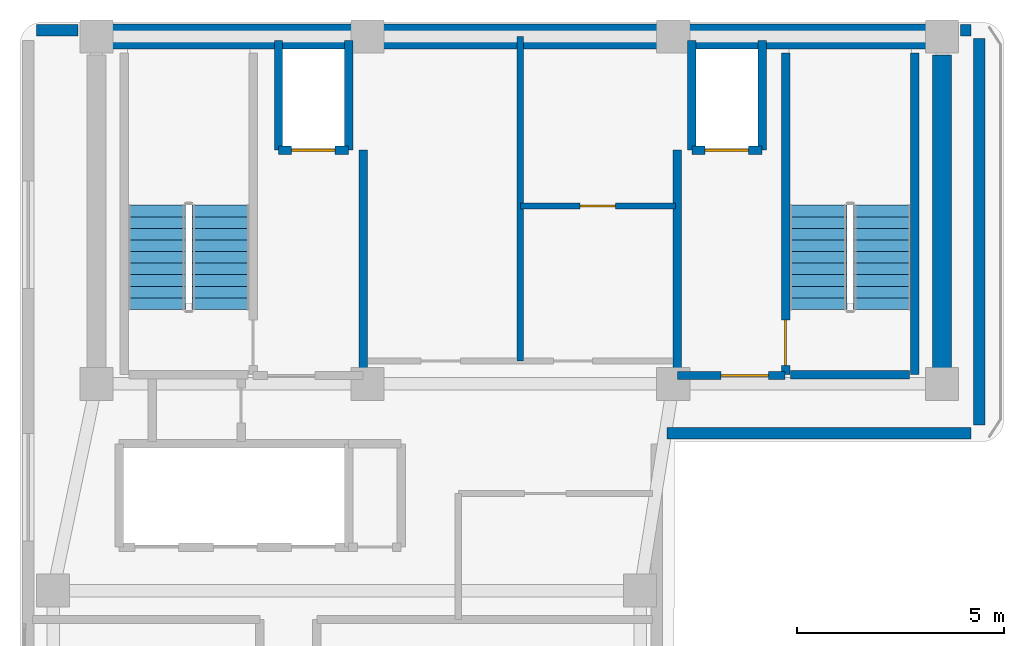
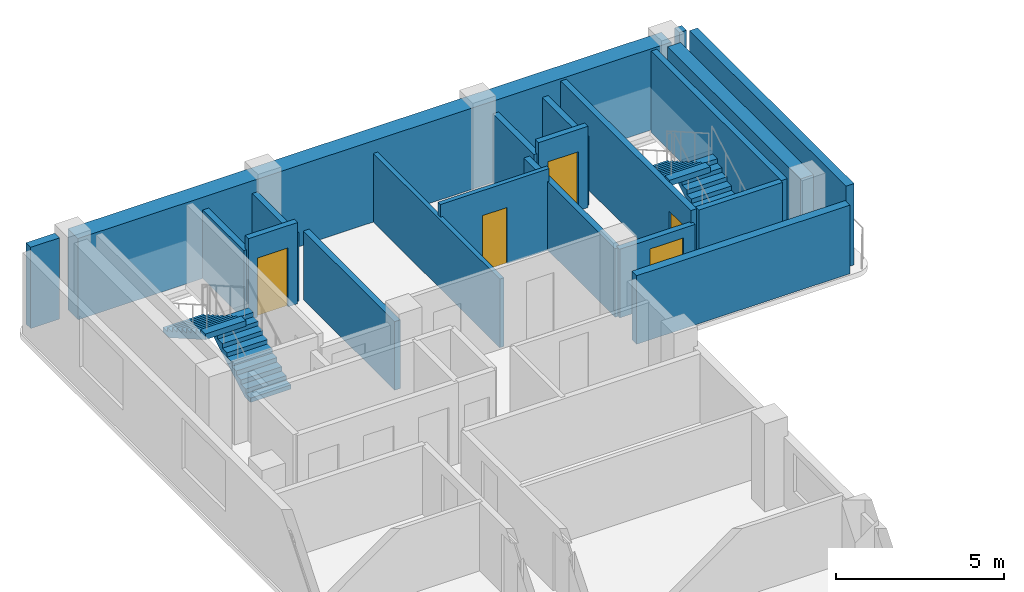
# One storey, part 8 of 9: 20 walls, 5 doors, 4 stair flights, 5 openings, 2 elements without a shape of their own.
"""IFC4 building model written with IfcOpenShell, lengths in metres."""

from ifc_helpers import new_model, si_unit, direction, frame, frame_2d, origin, place, context, subcontext, project, spatial, polyline, rectangle, outline, extrude, material, layer, layer_set, type_object, element, fill, aggregate, save


model = new_model("IFC4")

# Units and contexts
model_context = context("Model", 3, precision=1e-05, world=origin(), true_north=direction((0.0, 1.0)))
body_context = subcontext(model_context, "Body", "Model", "MODEL_VIEW")
ifc_project = project(units=[si_unit("LENGTHUNIT", "METRE"), si_unit("AREAUNIT", "SQUARE_METRE"), si_unit("VOLUMEUNIT", "CUBIC_METRE"), si_unit("PLANEANGLEUNIT", "RADIAN"), si_unit("MASSUNIT", "GRAM", prefix="KILO")], contexts=[model_context])

# Site, building, storey
site_placement = place(None, origin())
site = spatial("IfcSite", under=ifc_project, at=site_placement, CompositionType="ELEMENT")
building_placement = place(site_placement, origin())
building = spatial("IfcBuilding", under=site, at=building_placement, Name="Kuzgunbayir Cultural Tower", CompositionType="ELEMENT")
storey_placement = place(building_placement, frame((0.0, 0.0, 247.199951171875)))
storey = spatial("IfcBuildingStorey", under=building, at=storey_placement, Name="L73", CompositionType="ELEMENT", Elevation=247.199951171875)

# Walls
ifc_material_1 = material(Name="Concrete C50/60", Category="concrete")
ifc_layer_1 = layer(ifc_material_1, 0.449951171875)
ifc_layer_set_1 = layer_set([ifc_layer_1], Name="Concrete C50/60")
wall_type_1 = type_object("IfcWallType", Name="WAL-CORE-450", PredefinedType="SHEAR", material=ifc_layer_set_1)
wall_1_placement = place(storey_placement, frame((26.89990234375, 33.800048828125, 0.0), z_axis=(0.0, 0.0, 1.0), x_axis=(0.0, 1.0, 0.0)))
element("IfcWall", 1, at=wall_1_placement, inside=storey, type_object=wall_type_1, Name="L73 T1 Core East Shear Wall", PredefinedType="SHEAR", context=body_context, shape_type="SweptSolid", body=[
    extrude(rectangle(XDim=7.949951171875, YDim=0.449951171875, at=frame_2d((3.97509765625, 0.0))), origin(), (0.0, 0.0, 1.0), 2.9599609375),
])
ifc_material_2 = material(Name="Concrete C60/75", Category="concrete")
ifc_layer_2 = layer(ifc_material_2, 0.60009765625)
ifc_layer_set_2 = layer_set([ifc_layer_2], Name="Concrete C60/75")
wall_type_2 = type_object("IfcWallType", Name="WAL-CORE-600", PredefinedType="SHEAR", material=ifc_layer_set_2)
wall_2_placement = place(storey_placement, frame((6.449951171875, 42.199951171875, 0.0), z_axis=(0.0, 0.0, 1.0), x_axis=(1.0, 0.0, 0.0)))
element("IfcWall", 2, at=wall_2_placement, inside=storey, type_object=wall_type_2, Name="L73 T1 Core North Shear Wall", PredefinedType="SHEAR", context=body_context, shape_type="SweptSolid", body=[
    extrude(rectangle(XDim=20.449951171875, YDim=0.60009765625, at=frame_2d((10.22509765625, 0.0))), origin(), (0.0, 0.0, 1.0), 2.9599609375),
])
ifc_material_3 = material(Name="Anatolian Cream Limestone", Category="masonry")
ifc_layer_3 = layer(ifc_material_3, 0.280029296875)
ifc_layer_set_3 = layer_set([ifc_layer_3], Name="Anatolian Cream Limestone")
wall_type_3 = type_object("IfcWallType", Name="WAL-EXT-STONE-280", PredefinedType="STANDARD", material=ifc_layer_set_3)
wall_3_placement = place(storey_placement, frame((27.60009765625, 42.35009765625, 0.0), z_axis=(0.0, 0.0, 1.0), x_axis=(-1.0, 0.0, 0.0)))
element("IfcWall", 3, at=wall_3_placement, inside=storey, type_object=wall_type_3, Name="L73 North Wing B Limestone Wall", PredefinedType="STANDARD", context=body_context, shape_type="SweptSolid", body=[
    extrude(rectangle(XDim=0.25, YDim=0.280029296875, at=frame_2d((0.125, 0.0))), origin(), (0.0, 0.0, 1.0), 2.9599609375),
])
wall_4_placement = place(storey_placement, frame((6.0, 42.35009765625, 0.0), z_axis=(0.0, 0.0, 1.0), x_axis=(-1.0, 0.0, 0.0)))
element("IfcWall", 4, at=wall_4_placement, inside=storey, type_object=wall_type_3, Name="L73 Core North-West Spandrel Link", PredefinedType="STANDARD", context=body_context, shape_type="SweptSolid", body=[
    extrude(rectangle(XDim=1.0, YDim=0.280029296875, at=frame_2d((0.5, 0.0))), origin(), (0.0, 0.0, 1.0), 2.9599609375),
])
wall_5_placement = place(storey_placement, frame((27.800048828125, 32.800048828125, 0.0), z_axis=(0.0, 0.0, 1.0), x_axis=(0.0, 1.0, 0.0)))
element("IfcWall", 5, at=wall_5_placement, inside=storey, type_object=wall_type_3, Name="L73 Rear Core East Limestone Wall", PredefinedType="STANDARD", context=body_context, shape_type="SweptSolid", body=[
    extrude(rectangle(XDim=9.349853515625, YDim=0.280029296875, at=frame_2d((4.6748046875, 0.0))), origin(), (0.0, 0.0, 1.0), 2.9599609375),
])
wall_6_placement = place(storey_placement, frame((20.25, 32.60009765625, 0.0), z_axis=(0.0, 0.0, 1.0), x_axis=(1.0, 0.0, 0.0)))
element("IfcWall", 6, at=wall_6_placement, inside=storey, type_object=wall_type_3, Name="L73 Core South Soffit Wall", PredefinedType="STANDARD", context=body_context, shape_type="SweptSolid", body=[
    extrude(rectangle(XDim=7.35009765625, YDim=0.280029296875, at=frame_2d((3.675048828125, 0.0))), origin(), (0.0, 0.0, 1.0), 2.5),
])
ifc_material_4 = material(Name="Acoustic Double-Stud Drywall", Category="gypsum")
ifc_layer_4 = layer(ifc_material_4, 0.14990234375)
ifc_layer_set_4 = layer_set([ifc_layer_4], Name="Acoustic Double-Stud Drywall")
wall_type_4 = type_object("IfcWallType", Name="WAL-PART-ACOUSTIC-150", PredefinedType="PARTITIONING", material=ifc_layer_set_4)
wall_7_placement = place(storey_placement, frame((16.699951171875, 34.35009765625, 0.0), z_axis=(0.0, 0.0, 1.0), x_axis=(0.0, 1.0, 0.0)))
element("IfcWall", 7, at=wall_7_placement, inside=storey, type_object=wall_type_4, Name="L73 Sky Core Vertical Wall", PredefinedType="PARTITIONING", context=body_context, shape_type="SweptSolid", body=[
    extrude(rectangle(XDim=7.849853515625, YDim=0.14990234375, at=frame_2d((3.9248046875, 0.0))), origin(), (0.0, 0.0, 1.0), 2.5),
])

# Wall, opening, door
wall_8_placement = place(storey_placement, frame((16.699951171875, 38.10009765625, 0.0), z_axis=(0.0, 0.0, 1.0), x_axis=(1.0, 0.0, 0.0)))
wall_8 = element("IfcWall", 8, at=wall_8_placement, inside=storey, type_object=wall_type_4, Name="L73 Sky Core Store Divider", PredefinedType="PARTITIONING", context=body_context, shape_type="SweptSolid", body=[
    extrude(rectangle(XDim=3.75, YDim=0.14990234375, at=frame_2d((1.875, 0.0))), origin(), (0.0, 0.0, 1.0), 2.9599609375),
])
opening_1_placement = place(wall_8_placement, frame((1.449951171875, 0.0, 0.0)))
opening_1 = element("IfcOpeningElement", 9, at=opening_1_placement, cuts=wall_8, Name="Opening DC-85", PredefinedType="OPENING", context=body_context, shape_type="SweptSolid", body=[
    extrude(rectangle(XDim=0.85009765625, YDim=2.050048828125, at=frame_2d((0.425048828125, 1.02490234375))), frame((0.0, 0.0849609375, 0.0), z_axis=(0.0, -1.0, 0.0), x_axis=(1.0, 0.0, 0.0)), (0.0, 0.0, 1.0), 0.169921875),
])
ifc_material_5 = material(Name="Fire-Rated Veneered Oak Leaf", Category="wood")
door_type_1 = type_object("IfcDoorType", Name="DR-CORE-85", OperationType="NOTDEFINED", PredefinedType="DOOR", material=ifc_material_5)
door_1_placement = place(opening_1_placement, origin())
door_1 = element("IfcDoor", 10, at=door_1_placement, inside=storey, type_object=door_type_1, Name="L73 Core Electrical Store Door", OperationType="SINGLE_SWING_RIGHT", OverallHeight=2.050048828125, OverallWidth=0.85009765625, PredefinedType="DOOR", context=body_context, shape_type="SweptSolid", body=[
    extrude(rectangle(XDim=0.85009765625, YDim=2.050048828125, at=frame_2d((0.425048828125, 1.02490234375))), frame((0.0, 0.02490234375, 0.0), z_axis=(0.0, -1.0, 0.0), x_axis=(1.0, 0.0, 0.0)), (0.0, 0.0, 1.0), 0.050048828125),
])
fill(opening_1, door_1)

# Walls
ifc_material_6 = material(Name="Aerated Concrete Blockwork", Category="masonry")
ifc_layer_5 = layer(ifc_material_6, 0.199951171875)
ifc_layer_set_5 = layer_set([ifc_layer_5], Name="Aerated Concrete Blockwork")
wall_type_5 = type_object("IfcWallType", Name="WAL-PART-FIRE-200", PredefinedType="PARTITIONING", material=ifc_layer_set_5)
for number, where, z_axis, x_axis, name in (
    (11, (12.89990234375, 34.0, 0.0), (0.0, 0.0, 1.0), (0.0, 1.0, 0.0), "L73 FFL-1 Lobby East Fire Wall"),
    (12, (20.5, 34.0, 0.0), (0.0, 0.0, 1.0), (0.0, 1.0, 0.0), "L73 FFL-2 Lobby West Fire Wall"),
):
    element("IfcWall", number, at=place(storey_placement, frame(where, z_axis=z_axis, x_axis=x_axis)), inside=storey, type_object=wall_type_5, Name=name, PredefinedType="PARTITIONING", context=body_context, shape_type="SweptSolid", body=[
        extrude(rectangle(XDim=5.449951171875, YDim=0.199951171875, at=frame_2d((2.72509765625, 0.0))), origin(), (0.0, 0.0, 1.0), 2.5),
    ])

# Wall, opening, door
wall_9_placement = place(storey_placement, frame((20.5, 34.0, 0.0), z_axis=(0.0, 0.0, 1.0), x_axis=(1.0, 0.0, 0.0)))
wall_9 = element("IfcWall", 13, at=wall_9_placement, inside=storey, type_object=wall_type_5, Name="L73 FFL-2 Lobby South Fire Wall", PredefinedType="PARTITIONING", context=body_context, shape_type="SweptSolid", body=[
    extrude(rectangle(XDim=2.60009765625, YDim=0.199951171875, at=frame_2d((1.300048828125, 0.0))), origin(), (0.0, 0.0, 1.0), 2.5),
])
opening_2_placement = place(wall_9_placement, frame((1.050048828125, 0.0, 0.0)))
opening_2 = element("IfcOpeningElement", 14, at=opening_2_placement, cuts=wall_9, Name="Opening DR-FFL-90", PredefinedType="OPENING", context=body_context, shape_type="SweptSolid", body=[
    extrude(rectangle(XDim=1.14990234375, YDim=2.14990234375, at=frame_2d((0.574951171875, 1.074951171875))), frame((0.0, 0.10986328125, 0.0), z_axis=(0.0, -1.0, 0.0), x_axis=(1.0, 0.0, 0.0)), (0.0, 0.0, 1.0), 0.219970703125),
])
ifc_material_7 = material(Name="Steel S355J2", Category="steel")
door_type_2 = type_object("IfcDoorType", Name="DR-FFL-90", OperationType="NOTDEFINED", PredefinedType="DOOR", material=ifc_material_7)
door_2_placement = place(opening_2_placement, origin())
door_2 = element("IfcDoor", 15, at=door_2_placement, inside=storey, type_object=door_type_2, Name="L73 Firefighting Lobby 2 Door", OperationType="SINGLE_SWING_LEFT", OverallHeight=2.14990234375, OverallWidth=1.14990234375, PredefinedType="DOOR", context=body_context, shape_type="SweptSolid", body=[
    extrude(rectangle(XDim=1.14990234375, YDim=2.14990234375, at=frame_2d((0.574951171875, 1.074951171875))), frame((0.0, 0.02490234375, 0.0), z_axis=(0.0, -1.0, 0.0), x_axis=(1.0, 0.0, 0.0)), (0.0, 0.0, 1.0), 0.050048828125),
])
fill(opening_2, door_2)

ifc_material_8 = material(Name="Concrete C40/50", Category="concrete")
ifc_layer_6 = layer(ifc_material_8, 0.199951171875)
ifc_layer_set_6 = layer_set([ifc_layer_6], Name="Concrete C40/50")
wall_type_6 = type_object("IfcWallType", Name="WAL-SHAFT-200", PredefinedType="MOVABLE", material=ifc_layer_set_6)
wall_10_placement = place(storey_placement, frame((10.85009765625, 39.449951171875, 0.0), z_axis=(0.0, 0.0, 1.0), x_axis=(1.0, 0.0, 0.0)))
wall_10 = element("IfcWall", 16, at=wall_10_placement, inside=storey, type_object=wall_type_6, Name="L73 FFL-1 Lift Front Wall", PredefinedType="MOVABLE", context=body_context, shape_type="SweptSolid", body=[
    extrude(rectangle(XDim=1.699951171875, YDim=0.199951171875, at=frame_2d((0.85009765625, 0.0))), origin(), (0.0, 0.0, 1.0), 2.9599609375),
])
opening_3_placement = place(wall_10_placement, frame((0.320068359375, 0.0, 0.0)))
opening_3 = element("IfcOpeningElement", 17, at=opening_3_placement, cuts=wall_10, Name="Opening LD", PredefinedType="OPENING", context=body_context, shape_type="SweptSolid", body=[
    extrude(rectangle(XDim=1.050048828125, YDim=2.14990234375, at=frame_2d((0.52490234375, 1.074951171875))), frame((0.0, 0.10986328125, 0.0), z_axis=(0.0, -1.0, 0.0), x_axis=(1.0, 0.0, 0.0)), (0.0, 0.0, 1.0), 0.219970703125),
])
ifc_material_9 = material(Name="Brushed Stainless Steel", Category="steel")
door_type_3 = type_object("IfcDoorType", Name="DR-LIFT-LANDING", OperationType="SLIDING_TO_LEFT", PredefinedType="DOOR", material=ifc_material_9)
door_3_placement = place(opening_3_placement, origin())
door_3 = element("IfcDoor", 18, at=door_3_placement, inside=storey, type_object=door_type_3, Name="L73 Lift FFL-1 Landing Door", OperationType="SLIDING_TO_LEFT", OverallHeight=2.14990234375, OverallWidth=1.050048828125, PredefinedType="DOOR", context=body_context, shape_type="SweptSolid", body=[
    extrude(rectangle(XDim=1.050048828125, YDim=2.14990234375, at=frame_2d((0.52490234375, 1.074951171875))), frame((0.0, 0.02490234375, 0.0), z_axis=(0.0, -1.0, 0.0), x_axis=(1.0, 0.0, 0.0)), (0.0, 0.0, 1.0), 0.050048828125),
])
fill(opening_3, door_3)

wall_11_placement = place(storey_placement, frame((20.85009765625, 39.449951171875, 0.0), z_axis=(0.0, 0.0, 1.0), x_axis=(1.0, 0.0, 0.0)))
wall_11 = element("IfcWall", 19, at=wall_11_placement, inside=storey, type_object=wall_type_6, Name="L73 FFL-2 Lift Front Wall", PredefinedType="MOVABLE", context=body_context, shape_type="SweptSolid", body=[
    extrude(rectangle(XDim=1.699951171875, YDim=0.199951171875, at=frame_2d((0.85009765625, 0.0))), origin(), (0.0, 0.0, 1.0), 2.9599609375),
])
opening_4_placement = place(wall_11_placement, frame((0.320068359375, 0.0, 0.0)))
opening_4 = element("IfcOpeningElement", 20, at=opening_4_placement, cuts=wall_11, Name="Opening LD", PredefinedType="OPENING", context=body_context, shape_type="SweptSolid", body=[
    extrude(rectangle(XDim=1.050048828125, YDim=2.14990234375, at=frame_2d((0.52490234375, 1.074951171875))), frame((0.0, 0.10986328125, 0.0), z_axis=(0.0, -1.0, 0.0), x_axis=(1.0, 0.0, 0.0)), (0.0, 0.0, 1.0), 0.219970703125),
])
door_4_placement = place(opening_4_placement, origin())
door_4 = element("IfcDoor", 21, at=door_4_placement, inside=storey, type_object=door_type_3, Name="L73 Lift FFL-2 Landing Door", OperationType="SLIDING_TO_LEFT", OverallHeight=2.14990234375, OverallWidth=1.050048828125, PredefinedType="DOOR", context=body_context, shape_type="SweptSolid", body=[
    extrude(rectangle(XDim=1.050048828125, YDim=2.14990234375, at=frame_2d((0.52490234375, 1.074951171875))), frame((0.0, 0.02490234375, 0.0), z_axis=(0.0, -1.0, 0.0), x_axis=(1.0, 0.0, 0.0)), (0.0, 0.0, 1.0), 0.050048828125),
])
fill(opening_4, door_4)

# Walls
for number, where, z_axis, x_axis, name in (
    (22, (10.85009765625, 39.449951171875, 0.0), (0.0, 0.0, 1.0), (0.0, 1.0, 0.0), "L73 FFL-1 Shaft West Wall"),
    (23, (12.550048828125, 39.449951171875, 0.0), (0.0, 0.0, 1.0), (0.0, 1.0, 0.0), "L73 FFL-1 Shaft East Wall"),
    (24, (20.85009765625, 39.449951171875, 0.0), (0.0, 0.0, 1.0), (0.0, 1.0, 0.0), "L73 FFL-2 Shaft West Wall"),
    (25, (22.550048828125, 39.449951171875, 0.0), (0.0, 0.0, 1.0), (0.0, 1.0, 0.0), "L73 FFL-2 Shaft East Wall"),
):
    element("IfcWall", number, at=place(storey_placement, frame(where, z_axis=z_axis, x_axis=x_axis)), inside=storey, type_object=wall_type_6, Name=name, PredefinedType="MOVABLE", context=body_context, shape_type="SweptSolid", body=[
        extrude(rectangle(XDim=2.650146484375, YDim=0.199951171875, at=frame_2d((1.3251953125, 0.0))), origin(), (0.0, 0.0, 1.0), 2.5),
    ])

# Wall, opening, door
ifc_layer_7 = layer(ifc_material_8, 0.199951171875)
ifc_layer_set_7 = layer_set([ifc_layer_7], Name="Concrete C40/50")
wall_type_7 = type_object("IfcWallType", Name="WAL-STAIR-RC-200", PredefinedType="SHEAR", material=ifc_layer_set_7)
wall_12_placement = place(storey_placement, frame((23.1201171875, 34.02001953125, 0.0), z_axis=(0.0, 0.0, 1.0), x_axis=(0.0, 1.0, 0.0)))
wall_12 = element("IfcWall", 26, at=wall_12_placement, inside=storey, type_object=wall_type_7, Name="L73 Stair ST-2 West Structural Wall", PredefinedType="SHEAR", context=body_context, shape_type="SweptSolid", body=[
    extrude(rectangle(XDim=7.780029296875, YDim=0.199951171875, at=frame_2d((3.89013671875, 0.0))), origin(), (0.0, 0.0, 1.0), 2.9599609375),
])
opening_5_placement = place(wall_12_placement, frame((0.219970703125, 0.0, 0.0)))
opening_5 = element("IfcOpeningElement", 27, at=opening_5_placement, cuts=wall_12, Name="Opening DR-STAIR-90", PredefinedType="OPENING", context=body_context, shape_type="SweptSolid", body=[
    extrude(rectangle(XDim=1.10009765625, YDim=2.14990234375, at=frame_2d((0.550048828125, 1.074951171875))), frame((0.0, 0.10986328125, 0.0), z_axis=(0.0, -1.0, 0.0), x_axis=(1.0, 0.0, 0.0)), (0.0, 0.0, 1.0), 0.219970703125),
])
door_type_4 = type_object("IfcDoorType", Name="DR-STAIR-90", OperationType="NOTDEFINED", PredefinedType="DOOR", material=ifc_material_7)
door_5_placement = place(opening_5_placement, origin())
door_5 = element("IfcDoor", 28, at=door_5_placement, inside=storey, type_object=door_type_4, Name="L73 Stair ST-2 Fire Door", OperationType="SINGLE_SWING_LEFT", OverallHeight=2.14990234375, OverallWidth=1.10009765625, PredefinedType="DOOR", context=body_context, shape_type="SweptSolid", body=[
    extrude(rectangle(XDim=1.10009765625, YDim=2.14990234375, at=frame_2d((0.550048828125, 1.074951171875))), frame((0.0, 0.02490234375, 0.0), z_axis=(0.0, -1.0, 0.0), x_axis=(1.0, 0.0, 0.0)), (0.0, 0.0, 1.0), 0.050048828125),
])
fill(opening_5, door_5)

# Walls
wall_13_placement = place(storey_placement, frame((26.239990234375, 34.02001953125, 0.0), z_axis=(0.0, 0.0, 1.0), x_axis=(0.0, 1.0, 0.0)))
element("IfcWall", 29, at=wall_13_placement, inside=storey, type_object=wall_type_7, Name="L73 Stair ST-2 East Structural Wall", PredefinedType="SHEAR", context=body_context, shape_type="SweptSolid", body=[
    extrude(rectangle(XDim=7.780029296875, YDim=0.199951171875, at=frame_2d((3.89013671875, 0.0))), origin(), (0.0, 0.0, 1.0), 2.9599609375),
])
wall_14_placement = place(storey_placement, frame((23.239990234375, 34.02001953125, 0.0), z_axis=(0.0, 0.0, 1.0), x_axis=(1.0, 0.0, 0.0)))
element("IfcWall", 30, at=wall_14_placement, inside=storey, type_object=wall_type_7, Name="L73 Stair ST-2 South Structural Wall", PredefinedType="SHEAR", context=body_context, shape_type="SweptSolid", body=[
    extrude(rectangle(XDim=2.880126953125, YDim=0.199951171875, at=frame_2d((1.43994140625, 0.0))), origin(), (0.0, 0.0, 1.0), 2.9599609375),
])

# Stair, stair flights
stair_type = type_object("IfcStairType", Name="STR-EXIT-CORE", PredefinedType="HALF_TURN_STAIR", material=ifc_material_8)
stair_1_placement = place(storey_placement, origin())
stair_1 = element("IfcStair", 31, at=stair_1_placement, inside=storey, type_object=stair_type, Name="L73 ST-1", PredefinedType="HALF_TURN_STAIR")
stair_flight_type = type_object("IfcStairFlightType", Name="STRF-RC-140", PredefinedType="STRAIGHT", material=ifc_material_8)
stair_flight_1_placement = place(storey_placement, frame((9.4599609375, 35.60009765625, 0.0), z_axis=(0.0, 0.0, 1.0), x_axis=(0.0, 1.0, 0.0)))
stair_flight_1 = element("IfcStairFlight", 32, at=stair_flight_1_placement, type_object=stair_flight_type, Name="ST-1 flight 1", NumberOfRisers=10, NumberOfTreads=9, PredefinedType="STRAIGHT", RiserHeight=0.16, TreadLength=0.28, context=body_context, shape_type="SweptSolid", body=[
    extrude(outline(polyline([(0.0, 0.0), (0.0, 0.159912109375), (0.280029296875, 0.159912109375), (0.280029296875, 0.320068359375), (0.56005859375, 0.320068359375), (0.56005859375, 0.47998046875), (0.840087890625, 0.47998046875), (0.840087890625, 0.639892578125), (1.1201171875, 0.639892578125), (1.1201171875, 0.800048828125), (1.39990234375, 0.800048828125), (1.39990234375, 0.9599609375), (1.679931640625, 0.9599609375), (1.679931640625, 1.1201171875), (1.9599609375, 1.1201171875), (1.9599609375, 1.280029296875), (2.239990234375, 1.280029296875), (2.239990234375, 1.43994140625), (2.52001953125, 1.43994140625), (2.52001953125, 1.60009765625), (2.52001953125, 1.232666015625), (0.362548828125, 0.0), (0.0, 0.0)])), frame((0.0, 0.699951171875, 0.0), z_axis=(0.0, -1.0, 0.0), x_axis=(1.0, 0.0, 0.0)), (0.0, 0.0, 1.0), 1.39990234375),
])
stair_flight_2_placement = place(storey_placement, frame((7.89990234375, 38.1201171875, 1.60009765625), z_axis=(0.0, 0.0, 1.0), x_axis=(0.0, -1.0, 0.0)))
stair_flight_2 = element("IfcStairFlight", 33, at=stair_flight_2_placement, type_object=stair_flight_type, Name="ST-1 flight 2", NumberOfRisers=10, NumberOfTreads=9, PredefinedType="STRAIGHT", RiserHeight=0.16, TreadLength=0.28, context=body_context, shape_type="SweptSolid", body=[
    extrude(outline(polyline([(0.0, 0.0), (0.0, 0.159912109375), (0.280029296875, 0.159912109375), (0.280029296875, 0.320068359375), (0.56005859375, 0.320068359375), (0.56005859375, 0.47998046875), (0.840087890625, 0.47998046875), (0.840087890625, 0.639892578125), (1.1201171875, 0.639892578125), (1.1201171875, 0.800048828125), (1.39990234375, 0.800048828125), (1.39990234375, 0.9599609375), (1.679931640625, 0.9599609375), (1.679931640625, 1.1201171875), (1.9599609375, 1.1201171875), (1.9599609375, 1.280029296875), (2.239990234375, 1.280029296875), (2.239990234375, 1.43994140625), (2.52001953125, 1.43994140625), (2.52001953125, 1.60009765625), (2.52001953125, 1.232666015625), (0.362548828125, 0.0), (0.0, 0.0)])), frame((0.0, 0.699951171875, 0.0), z_axis=(0.0, -1.0, 0.0), x_axis=(1.0, 0.0, 0.0)), (0.0, 0.0, 1.0), 1.39990234375),
])
aggregate(stair_1, [stair_flight_1, stair_flight_2])

stair_2_placement = place(storey_placement, origin())
stair_2 = element("IfcStair", 34, at=stair_2_placement, inside=storey, type_object=stair_type, Name="L73 ST-2", PredefinedType="HALF_TURN_STAIR")
stair_flight_3_placement = place(storey_placement, frame((25.4599609375, 35.60009765625, 0.0), z_axis=(0.0, 0.0, 1.0), x_axis=(0.0, 1.0, 0.0)))
stair_flight_3 = element("IfcStairFlight", 35, at=stair_flight_3_placement, type_object=stair_flight_type, Name="ST-2 flight 1", NumberOfRisers=10, NumberOfTreads=9, PredefinedType="STRAIGHT", RiserHeight=0.16, TreadLength=0.28, context=body_context, shape_type="SweptSolid", body=[
    extrude(outline(polyline([(0.0, 0.0), (0.0, 0.159912109375), (0.280029296875, 0.159912109375), (0.280029296875, 0.320068359375), (0.56005859375, 0.320068359375), (0.56005859375, 0.47998046875), (0.840087890625, 0.47998046875), (0.840087890625, 0.639892578125), (1.1201171875, 0.639892578125), (1.1201171875, 0.800048828125), (1.39990234375, 0.800048828125), (1.39990234375, 0.9599609375), (1.679931640625, 0.9599609375), (1.679931640625, 1.1201171875), (1.9599609375, 1.1201171875), (1.9599609375, 1.280029296875), (2.239990234375, 1.280029296875), (2.239990234375, 1.43994140625), (2.52001953125, 1.43994140625), (2.52001953125, 1.60009765625), (2.52001953125, 1.232666015625), (0.362548828125, 0.0), (0.0, 0.0)])), frame((0.0, 0.699951171875, 0.0), z_axis=(0.0, -1.0, 0.0), x_axis=(1.0, 0.0, 0.0)), (0.0, 0.0, 1.0), 1.39990234375),
])
stair_flight_4_placement = place(storey_placement, frame((23.89990234375, 38.1201171875, 1.60009765625), z_axis=(0.0, 0.0, 1.0), x_axis=(0.0, -1.0, 0.0)))
stair_flight_4 = element("IfcStairFlight", 36, at=stair_flight_4_placement, type_object=stair_flight_type, Name="ST-2 flight 2", NumberOfRisers=10, NumberOfTreads=9, PredefinedType="STRAIGHT", RiserHeight=0.16, TreadLength=0.28, context=body_context, shape_type="SweptSolid", body=[
    extrude(outline(polyline([(0.0, 0.0), (0.0, 0.159912109375), (0.280029296875, 0.159912109375), (0.280029296875, 0.320068359375), (0.56005859375, 0.320068359375), (0.56005859375, 0.47998046875), (0.840087890625, 0.47998046875), (0.840087890625, 0.639892578125), (1.1201171875, 0.639892578125), (1.1201171875, 0.800048828125), (1.39990234375, 0.800048828125), (1.39990234375, 0.9599609375), (1.679931640625, 0.9599609375), (1.679931640625, 1.1201171875), (1.9599609375, 1.1201171875), (1.9599609375, 1.280029296875), (2.239990234375, 1.280029296875), (2.239990234375, 1.43994140625), (2.52001953125, 1.43994140625), (2.52001953125, 1.60009765625), (2.52001953125, 1.232666015625), (0.362548828125, 0.0), (0.0, 0.0)])), frame((0.0, 0.699951171875, 0.0), z_axis=(0.0, -1.0, 0.0), x_axis=(1.0, 0.0, 0.0)), (0.0, 0.0, 1.0), 1.39990234375),
])
aggregate(stair_2, [stair_flight_3, stair_flight_4])

save(model, "model.ifc")
